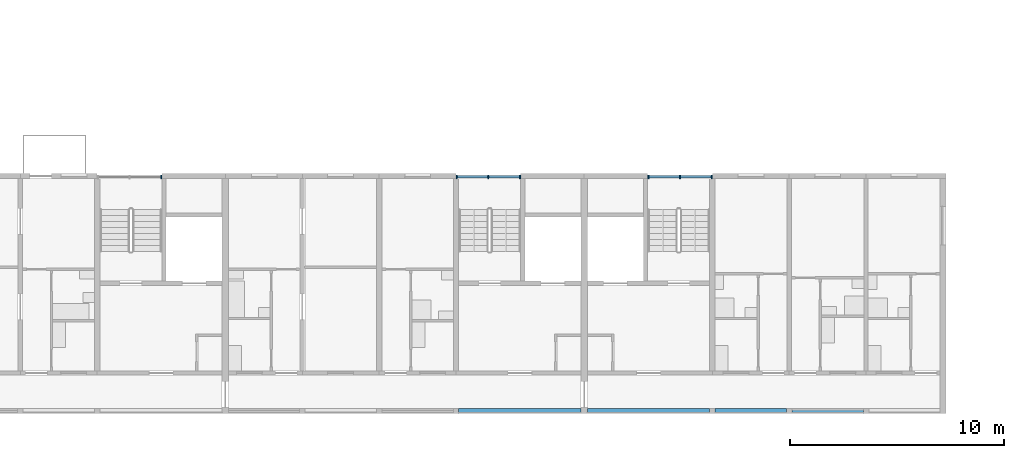
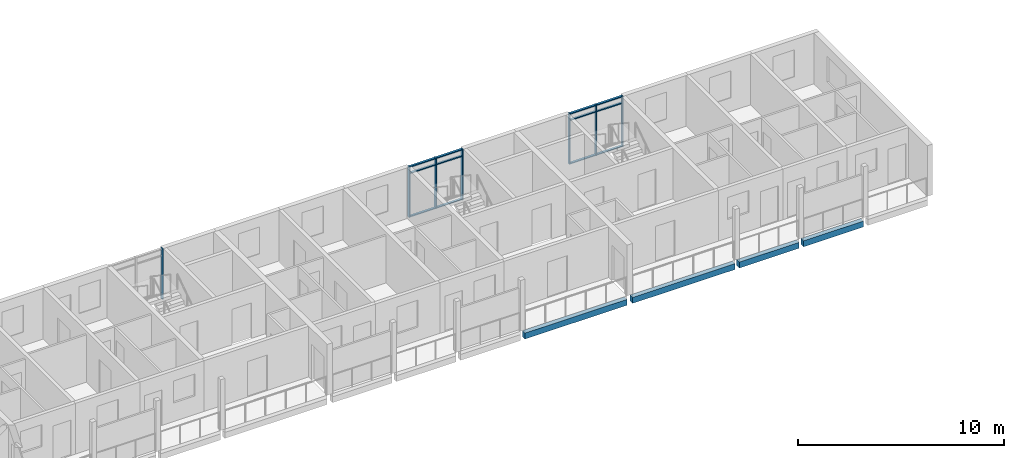
# One storey, part 9 of 93: 19 members, 4 beams, 3 elements without a shape of their own.
"""IFC4 building model written with IfcOpenShell, lengths in metres."""

from ifc_helpers import new_model, si_unit, direction, frame, origin, origin_2d, place, context, subcontext, project, spatial, rectangle, extrude, material, material_profile, profile_set, type_object, element, aggregate, save


model = new_model("IFC4")

# Units and contexts
model_context = context("Model", 3, precision=1e-05, world=origin(), true_north=direction((0.0, 1.0)))
body_context = subcontext(model_context, "Body", "Model", "MODEL_VIEW")
ifc_project = project(units=[si_unit("LENGTHUNIT", "METRE"), si_unit("AREAUNIT", "SQUARE_METRE"), si_unit("VOLUMEUNIT", "CUBIC_METRE"), si_unit("PLANEANGLEUNIT", "RADIAN"), si_unit("MASSUNIT", "GRAM", prefix="KILO")], contexts=[model_context])

# Site, building, storey
site_placement = place(None, origin())
site = spatial("IfcSite", under=ifc_project, at=site_placement, CompositionType="ELEMENT")
building_placement = place(site_placement, origin())
building = spatial("IfcBuilding", under=site, at=building_placement, Name="Ridgestep Commons", CompositionType="ELEMENT")
storey_placement = place(building_placement, frame((0.0, 0.0, 18.0)))
storey = spatial("IfcBuildingStorey", under=building, at=storey_placement, Name="L06", CompositionType="ELEMENT", Elevation=18.0)

# Beams
ifc_material_1 = material(Name="Precast concrete C40/50", Category="concrete")
ifc_material_profile_1 = material_profile(ifc_material_1, rectangle(XDim=0.25, YDim=0.35009765625, at=origin_2d()), Name="PC 250x350")
ifc_profile_set_1 = profile_set([ifc_material_profile_1], Name="Precast concrete C40/50")
beam_type = type_object("IfcBeamType", Name="Loggia edge beam 250 x 350", PredefinedType="SPANDREL", material=ifc_profile_set_1)
for number, where, z_axis, x_axis, name in (
    (1, (90.125, 11.875, -0.375), (1.0, 0.0, 0.0), (0.0, 1.0, 0.0), "Loggia edge beam A5C L06"),
    (2, (96.14990234375, 11.875, -0.375), (1.0, 0.0, 0.0), (0.0, 1.0, 0.0), "Loggia edge beam A6C L06"),
):
    element("IfcBeam", number, at=place(storey_placement, frame(where, z_axis=z_axis, x_axis=x_axis)), inside=storey, type_object=beam_type, Name=name, PredefinedType="SPANDREL", context=body_context, shape_type="SweptSolid", body=[
        extrude(rectangle(XDim=0.25, YDim=0.35009765625, at=origin_2d()), origin(), (0.0, 0.0, 1.0), 5.72509765625),
    ])
beam_1_placement = place(storey_placement, frame((102.125, 11.875, -0.375), z_axis=(1.0, 0.0, 0.0), x_axis=(0.0, 1.0, 0.0)))
element("IfcBeam", 3, at=beam_1_placement, inside=storey, type_object=beam_type, Name="Loggia edge beam A6T3 L06", PredefinedType="SPANDREL", context=body_context, shape_type="SweptSolid", body=[
    extrude(rectangle(XDim=0.25, YDim=0.35009765625, at=origin_2d()), origin(), (0.0, 0.0, 1.0), 3.35009765625),
])
beam_2_placement = place(storey_placement, frame((105.72509765625, 11.875, -0.375), z_axis=(1.0, 0.0, 0.0), x_axis=(0.0, 1.0, 0.0)))
element("IfcBeam", 4, at=beam_2_placement, inside=storey, type_object=beam_type, Name="Loggia edge beam A6T2 L06", PredefinedType="SPANDREL", context=body_context, shape_type="SweptSolid", body=[
    extrude(rectangle(XDim=0.25, YDim=0.35009765625, at=origin_2d()), origin(), (0.0, 0.0, 1.0), 3.349853515625),
])

# Curtain wall, member
ifc_material_2 = material(Name="Aluminium 6063-T6 and glass", Category="aluminium")
curtain_wall_type = type_object("IfcCurtainWallType", Name="Curtain wall stair strip", PredefinedType="NOTDEFINED", material=ifc_material_2)
curtain_wall_1_placement = place(storey_placement, origin())
curtain_wall_1 = element("IfcCurtainWall", 5, at=curtain_wall_1_placement, inside=storey, type_object=curtain_wall_type, Name="Curtain wall A4C level 06", PredefinedType="NOTDEFINED")
ifc_material_3 = material(Name="Aluminium 6063-T6", Category="aluminium")
ifc_material_profile_2 = material_profile(ifc_material_3, rectangle(XDim=0.159912109375, YDim=0.06005859375, at=origin_2d()), Name="Mullion 60 x 160")
ifc_profile_set_2 = profile_set([ifc_material_profile_2], Name="Aluminium 6063-T6")
member_type_1 = type_object("IfcMemberType", Name="Mullion 60 x 160", PredefinedType="MULLION", material=ifc_profile_set_2)
member_1_placement = place(storey_placement, frame((76.195068359375, 22.830078125, 0.0), z_axis=(0.0, 0.0, 1.0), x_axis=(0.0, 1.0, 0.0)))
member_1 = element("IfcMember", 6, at=member_1_placement, type_object=member_type_1, Name="CW1 mullion 3", PredefinedType="MULLION", context=body_context, shape_type="SweptSolid", body=[
    extrude(rectangle(XDim=0.159912109375, YDim=0.06005859375, at=origin_2d()), origin(), (0.0, 0.0, 1.0), 3.0),
])
aggregate(curtain_wall_1, [member_1])

# Curtain wall, members
curtain_wall_2_placement = place(storey_placement, origin())
curtain_wall_2 = element("IfcCurtainWall", 7, at=curtain_wall_2_placement, inside=storey, type_object=curtain_wall_type, Name="Curtain wall A5C level 06", PredefinedType="NOTDEFINED")
member_2_placement = place(storey_placement, frame((90.030029296875, 22.830078125, 0.0), z_axis=(0.0, 0.0, 1.0), x_axis=(0.0, 1.0, 0.0)))
member_2 = element("IfcMember", 8, at=member_2_placement, type_object=member_type_1, Name="CW1 mullion 1", PredefinedType="MULLION", context=body_context, shape_type="SweptSolid", body=[
    extrude(rectangle(XDim=0.159912109375, YDim=0.06005859375, at=origin_2d()), origin(), (0.0, 0.0, 1.0), 3.0),
])
member_3_placement = place(storey_placement, frame((91.512451171875, 22.830078125, 0.0), z_axis=(0.0, 0.0, 1.0), x_axis=(0.0, 1.0, 0.0)))
member_3 = element("IfcMember", 9, at=member_3_placement, type_object=member_type_1, Name="CW1 mullion 2", PredefinedType="MULLION", context=body_context, shape_type="SweptSolid", body=[
    extrude(rectangle(XDim=0.159912109375, YDim=0.06005859375, at=origin_2d()), origin(), (0.0, 0.0, 1.0), 3.0),
])
member_4_placement = place(storey_placement, frame((92.9951171875, 22.830078125, 0.0), z_axis=(0.0, 0.0, 1.0), x_axis=(0.0, 1.0, 0.0)))
member_4 = element("IfcMember", 10, at=member_4_placement, type_object=member_type_1, Name="CW1 mullion 3", PredefinedType="MULLION", context=body_context, shape_type="SweptSolid", body=[
    extrude(rectangle(XDim=0.159912109375, YDim=0.06005859375, at=origin_2d()), origin(), (0.0, 0.0, 1.0), 3.0),
])

curtain_wall_3_placement = place(storey_placement, origin())
curtain_wall_3 = element("IfcCurtainWall", 11, at=curtain_wall_3_placement, inside=storey, type_object=curtain_wall_type, Name="Curtain wall A6C level 06", PredefinedType="NOTDEFINED")
member_5_placement = place(storey_placement, frame((99.0048828125, 22.830078125, 0.0), z_axis=(0.0, 0.0, 1.0), x_axis=(0.0, 1.0, 0.0)))
member_5 = element("IfcMember", 12, at=member_5_placement, type_object=member_type_1, Name="CW1 mullion 1", PredefinedType="MULLION", context=body_context, shape_type="SweptSolid", body=[
    extrude(rectangle(XDim=0.159912109375, YDim=0.06005859375, at=origin_2d()), origin(), (0.0, 0.0, 1.0), 3.0),
])
member_6_placement = place(storey_placement, frame((100.487548828125, 22.830078125, 0.0), z_axis=(0.0, 0.0, 1.0), x_axis=(0.0, 1.0, 0.0)))
member_6 = element("IfcMember", 13, at=member_6_placement, type_object=member_type_1, Name="CW1 mullion 2", PredefinedType="MULLION", context=body_context, shape_type="SweptSolid", body=[
    extrude(rectangle(XDim=0.159912109375, YDim=0.06005859375, at=origin_2d()), origin(), (0.0, 0.0, 1.0), 3.0),
])
member_7_placement = place(storey_placement, frame((101.969970703125, 22.830078125, 0.0), z_axis=(0.0, 0.0, 1.0), x_axis=(0.0, 1.0, 0.0)))
member_7 = element("IfcMember", 14, at=member_7_placement, type_object=member_type_1, Name="CW1 mullion 3", PredefinedType="MULLION", context=body_context, shape_type="SweptSolid", body=[
    extrude(rectangle(XDim=0.159912109375, YDim=0.06005859375, at=origin_2d()), origin(), (0.0, 0.0, 1.0), 3.0),
])

# Member
ifc_material_4 = material(Name="Aluminium 6063-T6", Category="aluminium")
ifc_material_profile_3 = material_profile(ifc_material_4, rectangle(XDim=0.1201171875, YDim=0.06005859375, at=origin_2d()), Name="Transom 60 x 120")
ifc_profile_set_3 = profile_set([ifc_material_profile_3], Name="Aluminium 6063-T6")
member_type_2 = type_object("IfcMemberType", Name="Transom 60 x 120", PredefinedType="USERDEFINED", material=ifc_profile_set_3)
member_8_placement = place(storey_placement, frame((90.06005859375, 22.830078125, 0.030029296875), z_axis=(1.0, 0.0, 0.0), x_axis=(0.0, 1.0, 0.0)))
member_8 = element("IfcMember", 15, at=member_8_placement, type_object=member_type_2, Name="CW1 transom 1.1", ObjectType="TRANSOM", PredefinedType="USERDEFINED", context=body_context, shape_type="SweptSolid", body=[
    extrude(rectangle(XDim=0.1201171875, YDim=0.06005859375, at=origin_2d()), origin(), (0.0, 0.0, 1.0), 1.42236328125),
])

member_9_placement = place(storey_placement, frame((90.06005859375, 22.830078125, 2.590087890625), z_axis=(1.0, 0.0, 0.0), x_axis=(0.0, 1.0, 0.0)))
member_9 = element("IfcMember", 16, at=member_9_placement, type_object=member_type_2, Name="CW1 transom 1.2", ObjectType="TRANSOM", PredefinedType="USERDEFINED", context=body_context, shape_type="SweptSolid", body=[
    extrude(rectangle(XDim=0.1201171875, YDim=0.06005859375, at=origin_2d()), origin(), (0.0, 0.0, 1.0), 1.42236328125),
])

member_10_placement = place(storey_placement, frame((90.06005859375, 22.830078125, 2.969970703125), z_axis=(1.0, 0.0, 0.0), x_axis=(0.0, 1.0, 0.0)))
member_10 = element("IfcMember", 17, at=member_10_placement, type_object=member_type_2, Name="CW1 transom 1.3", ObjectType="TRANSOM", PredefinedType="USERDEFINED", context=body_context, shape_type="SweptSolid", body=[
    extrude(rectangle(XDim=0.1201171875, YDim=0.06005859375, at=origin_2d()), origin(), (0.0, 0.0, 1.0), 1.42236328125),
])

member_11_placement = place(storey_placement, frame((91.54248046875, 22.830078125, 0.030029296875), z_axis=(1.0, 0.0, 0.0), x_axis=(0.0, 1.0, 0.0)))
member_11 = element("IfcMember", 18, at=member_11_placement, type_object=member_type_2, Name="CW1 transom 2.1", ObjectType="TRANSOM", PredefinedType="USERDEFINED", context=body_context, shape_type="SweptSolid", body=[
    extrude(rectangle(XDim=0.1201171875, YDim=0.06005859375, at=origin_2d()), origin(), (0.0, 0.0, 1.0), 1.422607421875),
])

member_12_placement = place(storey_placement, frame((91.54248046875, 22.830078125, 2.590087890625), z_axis=(1.0, 0.0, 0.0), x_axis=(0.0, 1.0, 0.0)))
member_12 = element("IfcMember", 19, at=member_12_placement, type_object=member_type_2, Name="CW1 transom 2.2", ObjectType="TRANSOM", PredefinedType="USERDEFINED", context=body_context, shape_type="SweptSolid", body=[
    extrude(rectangle(XDim=0.1201171875, YDim=0.06005859375, at=origin_2d()), origin(), (0.0, 0.0, 1.0), 1.422607421875),
])

member_13_placement = place(storey_placement, frame((91.54248046875, 22.830078125, 2.969970703125), z_axis=(1.0, 0.0, 0.0), x_axis=(0.0, 1.0, 0.0)))
member_13 = element("IfcMember", 20, at=member_13_placement, type_object=member_type_2, Name="CW1 transom 2.3", ObjectType="TRANSOM", PredefinedType="USERDEFINED", context=body_context, shape_type="SweptSolid", body=[
    extrude(rectangle(XDim=0.1201171875, YDim=0.06005859375, at=origin_2d()), origin(), (0.0, 0.0, 1.0), 1.422607421875),
])

aggregate(curtain_wall_2, [member_2, member_3, member_4, member_8, member_9, member_10, member_11, member_12, member_13])

member_14_placement = place(storey_placement, frame((99.034912109375, 22.830078125, 0.030029296875), z_axis=(1.0, 0.0, 0.0), x_axis=(0.0, 1.0, 0.0)))
member_14 = element("IfcMember", 21, at=member_14_placement, type_object=member_type_2, Name="CW1 transom 1.1", ObjectType="TRANSOM", PredefinedType="USERDEFINED", context=body_context, shape_type="SweptSolid", body=[
    extrude(rectangle(XDim=0.1201171875, YDim=0.06005859375, at=origin_2d()), origin(), (0.0, 0.0, 1.0), 1.422607421875),
])

member_15_placement = place(storey_placement, frame((99.034912109375, 22.830078125, 2.590087890625), z_axis=(1.0, 0.0, 0.0), x_axis=(0.0, 1.0, 0.0)))
member_15 = element("IfcMember", 22, at=member_15_placement, type_object=member_type_2, Name="CW1 transom 1.2", ObjectType="TRANSOM", PredefinedType="USERDEFINED", context=body_context, shape_type="SweptSolid", body=[
    extrude(rectangle(XDim=0.1201171875, YDim=0.06005859375, at=origin_2d()), origin(), (0.0, 0.0, 1.0), 1.422607421875),
])

member_16_placement = place(storey_placement, frame((99.034912109375, 22.830078125, 2.969970703125), z_axis=(1.0, 0.0, 0.0), x_axis=(0.0, 1.0, 0.0)))
member_16 = element("IfcMember", 23, at=member_16_placement, type_object=member_type_2, Name="CW1 transom 1.3", ObjectType="TRANSOM", PredefinedType="USERDEFINED", context=body_context, shape_type="SweptSolid", body=[
    extrude(rectangle(XDim=0.1201171875, YDim=0.06005859375, at=origin_2d()), origin(), (0.0, 0.0, 1.0), 1.422607421875),
])

member_17_placement = place(storey_placement, frame((100.517578125, 22.830078125, 0.030029296875), z_axis=(1.0, 0.0, 0.0), x_axis=(0.0, 1.0, 0.0)))
member_17 = element("IfcMember", 24, at=member_17_placement, type_object=member_type_2, Name="CW1 transom 2.1", ObjectType="TRANSOM", PredefinedType="USERDEFINED", context=body_context, shape_type="SweptSolid", body=[
    extrude(rectangle(XDim=0.1201171875, YDim=0.06005859375, at=origin_2d()), origin(), (0.0, 0.0, 1.0), 1.42236328125),
])

member_18_placement = place(storey_placement, frame((100.517578125, 22.830078125, 2.590087890625), z_axis=(1.0, 0.0, 0.0), x_axis=(0.0, 1.0, 0.0)))
member_18 = element("IfcMember", 25, at=member_18_placement, type_object=member_type_2, Name="CW1 transom 2.2", ObjectType="TRANSOM", PredefinedType="USERDEFINED", context=body_context, shape_type="SweptSolid", body=[
    extrude(rectangle(XDim=0.1201171875, YDim=0.06005859375, at=origin_2d()), origin(), (0.0, 0.0, 1.0), 1.42236328125),
])

member_19_placement = place(storey_placement, frame((100.517578125, 22.830078125, 2.969970703125), z_axis=(1.0, 0.0, 0.0), x_axis=(0.0, 1.0, 0.0)))
member_19 = element("IfcMember", 26, at=member_19_placement, type_object=member_type_2, Name="CW1 transom 2.3", ObjectType="TRANSOM", PredefinedType="USERDEFINED", context=body_context, shape_type="SweptSolid", body=[
    extrude(rectangle(XDim=0.1201171875, YDim=0.06005859375, at=origin_2d()), origin(), (0.0, 0.0, 1.0), 1.42236328125),
])

aggregate(curtain_wall_3, [member_5, member_6, member_7, member_14, member_15, member_16, member_17, member_18, member_19])

save(model, "model.ifc")
